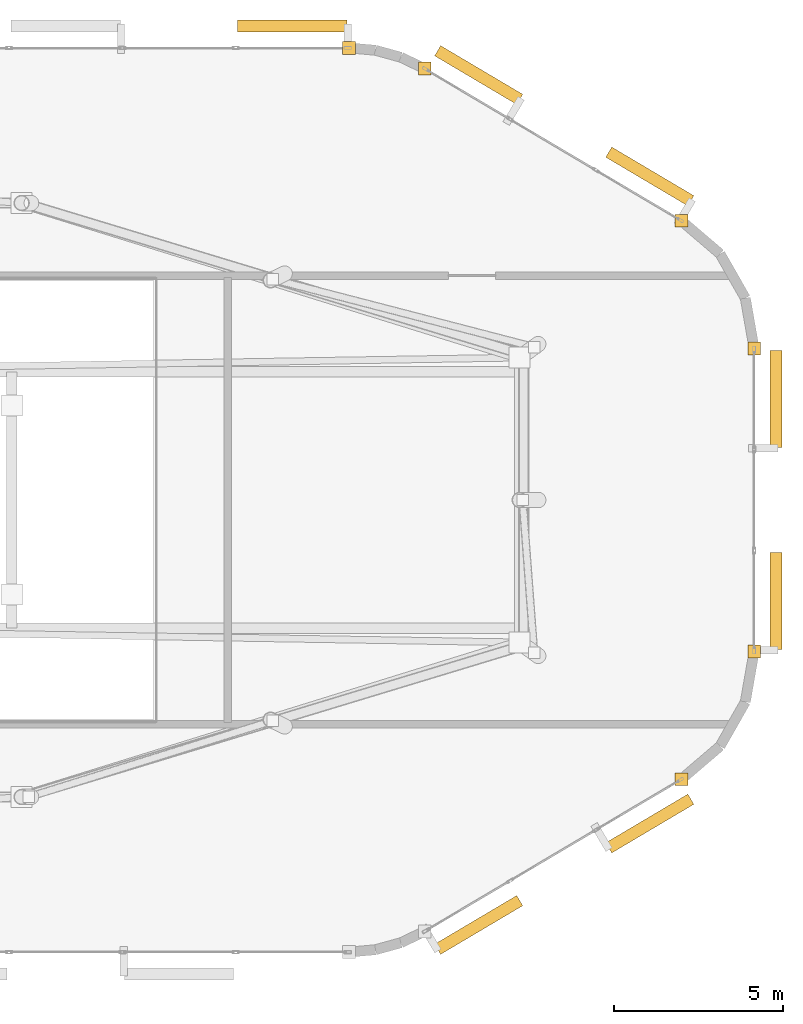
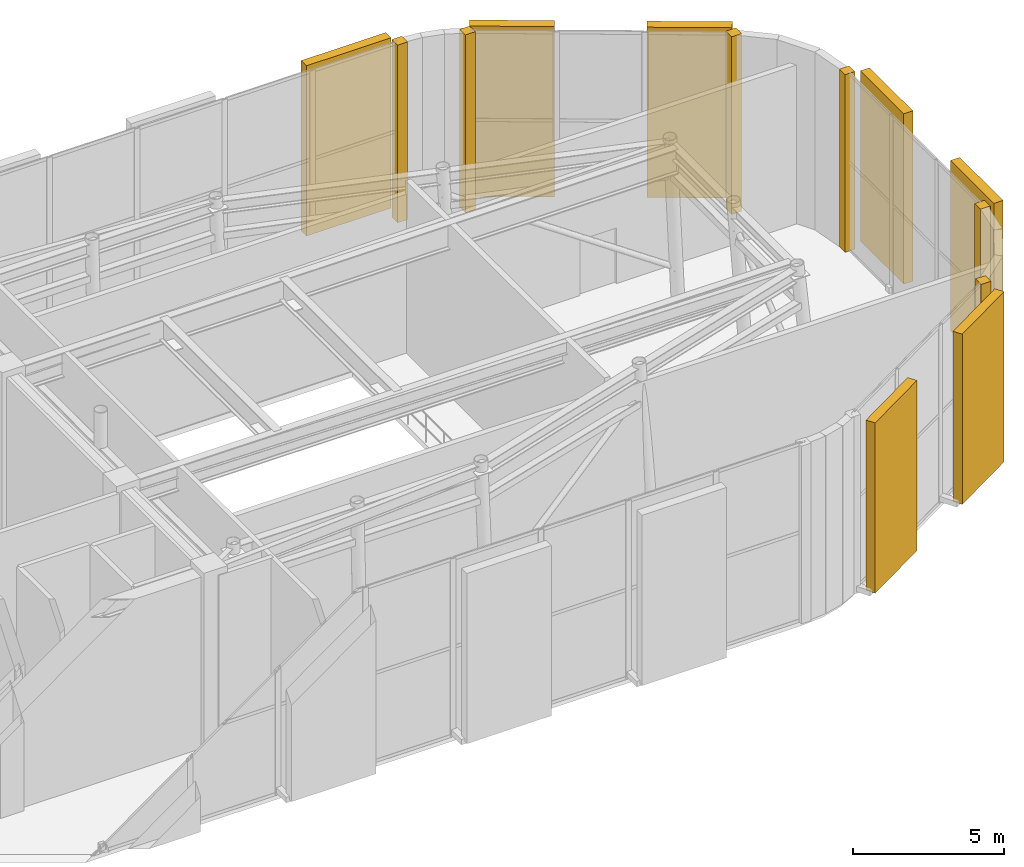
# One storey, part 20 of 20: 7 shading devices, 6 coverings.
"""IFC4 building model written with IfcOpenShell, lengths in metres."""

from ifc_helpers import new_model, si_unit, direction, frame, origin, origin_2d, place, context, subcontext, project, spatial, rectangle, extrude, material, layer, layer_set, type_object, element, save


model = new_model("IFC4")

# Units and contexts
model_context = context("Model", 3, precision=1e-05, world=origin(), true_north=direction((0.0, 1.0)))
body_context = subcontext(model_context, "Body", "Model", "MODEL_VIEW")
ifc_project = project(units=[si_unit("LENGTHUNIT", "METRE"), si_unit("AREAUNIT", "SQUARE_METRE"), si_unit("VOLUMEUNIT", "CUBIC_METRE"), si_unit("PLANEANGLEUNIT", "RADIAN"), si_unit("MASSUNIT", "GRAM", prefix="KILO")], contexts=[model_context])

# Site, building, storey
site_placement = place(None, origin())
site = spatial("IfcSite", under=ifc_project, at=site_placement, CompositionType="ELEMENT")
building_placement = place(site_placement, origin())
building = spatial("IfcBuilding", under=site, at=building_placement, Name="An Khanh Terracotta Commons", CompositionType="ELEMENT")
storey_placement = place(building_placement, frame((0.0, 0.0, 308.0)))
storey = spatial("IfcBuildingStorey", under=building, at=storey_placement, Name="L79 Crown Damper Gallery", CompositionType="ELEMENT", Elevation=308.0)

# Coverings
ifc_material_1 = material(Name="Fired Terracotta Rainscreen Cladding", Category="masonry")
ifc_layer = layer(ifc_material_1, 0.080078125, Name="Fired Terracotta Rainscreen Cladding")
ifc_layer_set = layer_set([ifc_layer], Name="Fired Terracotta Rainscreen Cladding")
covering_type = type_object("IfcCoveringType", Name="COV-JAMB-TERRA", PredefinedType="CLADDING", material=ifc_layer_set)
for number, where, z_axis, x_axis, name in (
    (1, (67.64306640625, 15.721923828125, 0.0), (0.0, 0.0, 1.0), (1.0, 0.0, 0.0), "L79 Crown Damper Gallery CW-05 Curtain-Wall Jamb Closure JB"),
    (2, (69.800048828125, 19.507080078125, 0.0), (0.0, 0.0, 1.0), (1.0, 0.0, 0.0), "L79 Crown Damper Gallery CW-05 Curtain-Wall Jamb Closure JA"),
    (3, (69.800048828125, 28.492919921875, 0.0), (0.0, 0.0, 1.0), (1.0, 0.0, 0.0), "L79 Crown Damper Gallery CW-05 Curtain-Wall Jamb Closure JB"),
    (4, (67.64306640625, 32.278076171875, 0.0), (0.0, 0.0, 1.0), (1.0, 0.0, 0.0), "L79 Crown Damper Gallery CW-05 Curtain-Wall Jamb Closure JA"),
    (5, (60.037109375, 36.784912109375, 0.0), (0.0, 0.0, 1.0), (1.0, 0.0, 0.0), "L79 Crown Damper Gallery CW-05 Curtain-Wall Jamb Closure JB"),
    (6, (57.7939453125, 37.39990234375, 0.0), (0.0, 0.0, 1.0), (1.0, 0.0, 0.0), "L79 Crown Damper Gallery CW-05 Curtain-Wall Jamb Closure JA"),
):
    element("IfcCovering", number, at=place(storey_placement, frame(where, z_axis=z_axis, x_axis=x_axis)), inside=storey, type_object=covering_type, Name=name, PredefinedType="CLADDING", context=body_context, shape_type="SweptSolid", body=[
        extrude(rectangle(XDim=0.3798828125, YDim=0.3798828125, at=origin_2d()), origin(), (0.0, 0.0, 1.0), 7.199951171875),
    ])

# Shading devices
ifc_material_2 = material(Name="Extruded Fired Terracotta", Category="masonry")
shading_device_type = type_object("IfcShadingDeviceType", Name="Terracotta Baguette Screen Assembly", PredefinedType="USERDEFINED", material=ifc_material_2)
for number, where, z_axis, x_axis, name in (
    (7, (61.635986328125, 11.406982421875, 0.150146484375), (0.0, 0.0, 1.0), (0.860304394443, 0.509780687063, 0.0), "L79 Crown Damper Gallery Terracotta Baguette Screen 1"),
    (8, (66.70703125, 14.412109375, 0.150146484375), (0.0, 0.0, 1.0), (0.860304394443, 0.509780687063, 0.0), "L79 Crown Damper Gallery Terracotta Baguette Screen 3"),
):
    element("IfcShadingDevice", number, at=place(storey_placement, frame(where, z_axis=z_axis, x_axis=x_axis)), inside=storey, type_object=shading_device_type, Name=name, ObjectType="BAGUETTE", PredefinedType="USERDEFINED", context=body_context, shape_type="SweptSolid", body=[
        extrude(rectangle(XDim=2.826904296875, YDim=0.35009765625, at=origin_2d()), origin(), (0.0, 0.0, 1.0), 6.89990234375),
    ])
for number, where, z_axis, x_axis, name in (
    (9, (70.449951171875, 21.0048828125, 0.150146484375), (0.0, 0.0, 1.0), (0.0, 1.0, 0.0), "L79 Crown Damper Gallery Terracotta Baguette Screen 1"),
    (10, (70.449951171875, 26.9951171875, 0.150146484375), (0.0, 0.0, 1.0), (0.0, 1.0, 0.0), "L79 Crown Damper Gallery Terracotta Baguette Screen 3"),
):
    element("IfcShadingDevice", number, at=place(storey_placement, frame(where, z_axis=z_axis, x_axis=x_axis)), inside=storey, type_object=shading_device_type, Name=name, ObjectType="BAGUETTE", PredefinedType="USERDEFINED", context=body_context, shape_type="SweptSolid", body=[
        extrude(rectangle(XDim=2.875, YDim=0.35009765625, at=origin_2d()), origin(), (0.0, 0.0, 1.0), 6.89990234375),
    ])
for number, where, z_axis, x_axis, name in (
    (11, (66.70703125, 33.587890625, 0.150146484375), (0.0, 0.0, 1.0), (-0.860304394443, 0.509780687063, 0.0), "L79 Crown Damper Gallery Terracotta Baguette Screen 1"),
    (12, (61.635986328125, 36.593017578125, 0.150146484375), (0.0, 0.0, 1.0), (-0.860304394443, 0.509780687063, 0.0), "L79 Crown Damper Gallery Terracotta Baguette Screen 3"),
):
    element("IfcShadingDevice", number, at=place(storey_placement, frame(where, z_axis=z_axis, x_axis=x_axis)), inside=storey, type_object=shading_device_type, Name=name, ObjectType="BAGUETTE", PredefinedType="USERDEFINED", context=body_context, shape_type="SweptSolid", body=[
        extrude(rectangle(XDim=2.826904296875, YDim=0.35009765625, at=origin_2d()), origin(), (0.0, 0.0, 1.0), 6.89990234375),
    ])
shading_device_placement = place(storey_placement, frame((56.114013671875, 38.050048828125, 0.150146484375), z_axis=(0.0, 0.0, 1.0), x_axis=(-1.0, 0.0, 0.0)))
element("IfcShadingDevice", 13, at=shading_device_placement, inside=storey, type_object=shading_device_type, Name="L79 Crown Damper Gallery Terracotta Baguette Screen 1", ObjectType="BAGUETTE", PredefinedType="USERDEFINED", context=body_context, shape_type="SweptSolid", body=[
    extrude(rectangle(XDim=3.239013671875, YDim=0.35009765625, at=origin_2d()), origin(), (0.0, 0.0, 1.0), 6.89990234375),
])

save(model, "model.ifc")
